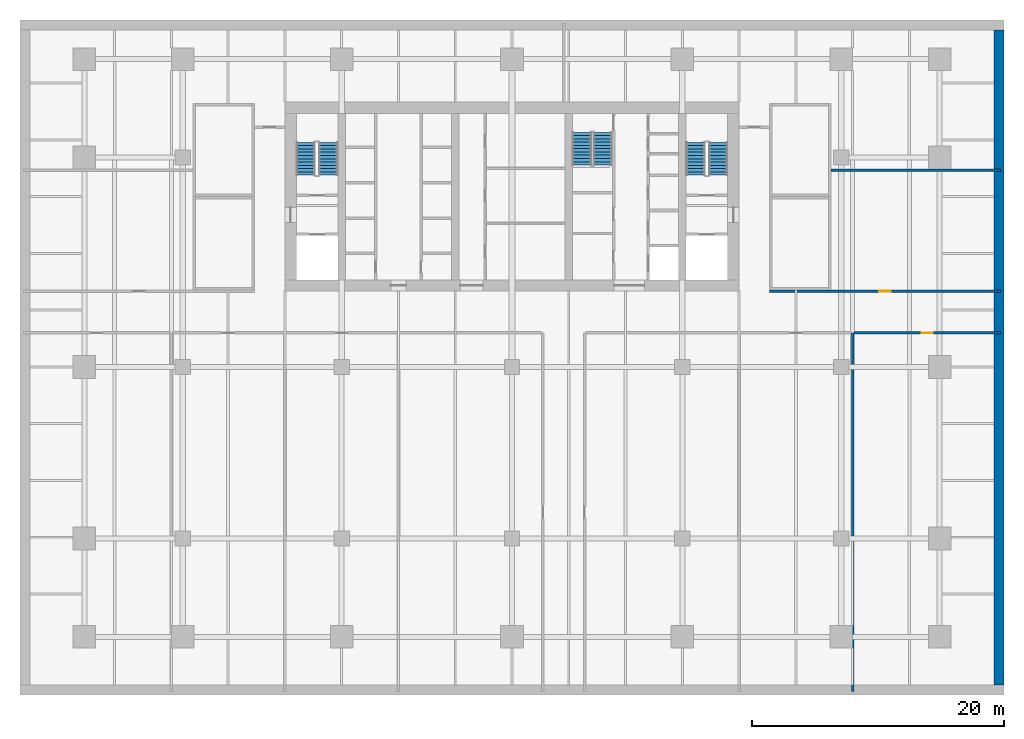
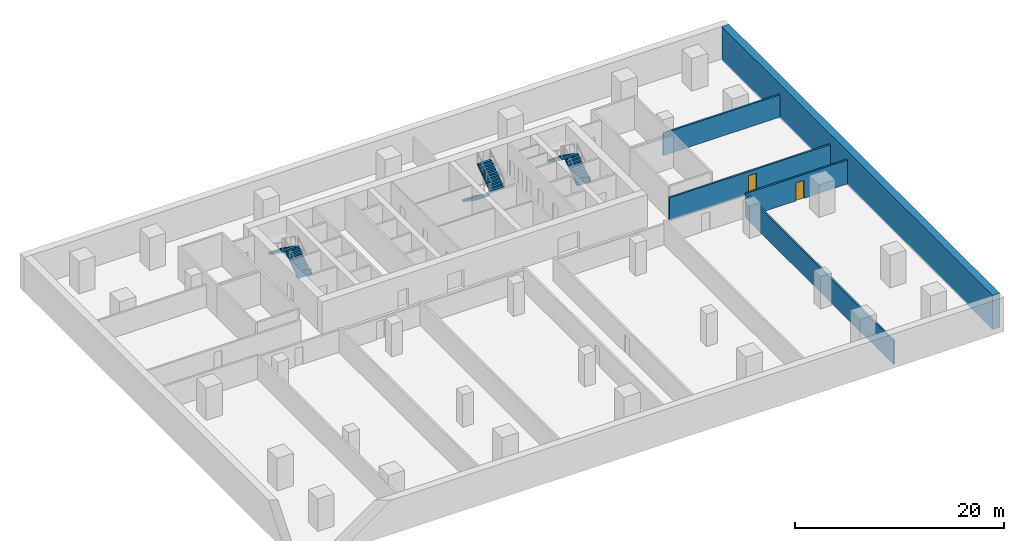
# One storey, part 9 of 10: 6 stair flights, 5 walls, 2 doors, 2 openings, 3 elements without a shape of their own.
"""IFC4 building model written with IfcOpenShell, lengths in metres."""

import ifcopenshell
import ifcopenshell.guid

model = None  # the IFC model being written
_history = None  # IfcOwnerHistory: only IFC2X3 demands one
_inside = {}  # id of a spatial element -> (the spatial element, [elements in it])
_under = {}  # id of a project, library or spatial element -> (it, [spatial elements below it])
_declared = {}  # id of a project -> (the project, [libraries it declares])
_typed = {}  # id of a type object -> (the type object, [elements of that type])
_made_of = {}  # id of a material, layer set ... -> (it, [elements and type objects made of it])


def new_model(schema):
    """Start an empty IFC model of exactly this schema.

    Asked for "IFC4X3", IfcOpenShell would pick the latest addendum, in which some entities
    have other attributes; the version numbers below select the first issue.
    IFC2X3 requires an IfcOwnerHistory on every rooted entity: one is made here for all.
    """
    global model, _history
    if schema == "IFC4X3":
        model = ifcopenshell.file(schema_version=(4, 3, 0, 0))
    else:
        model = ifcopenshell.file(schema=schema)
    _inside.clear()
    _under.clear()
    _declared.clear()
    _typed.clear()
    _made_of.clear()
    _history = None
    if model.schema == "IFC2X3":
        org = make("IfcOrganization", Name="unknown")
        user = make(
            "IfcPersonAndOrganization",
            ThePerson=make("IfcPerson", FamilyName="unknown"),
            TheOrganization=org,
        )
        app = make(
            "IfcApplication",
            ApplicationDeveloper=org,
            Version="unknown",
            ApplicationFullName="unknown",
            ApplicationIdentifier="unknown",
        )
        _history = make(
            "IfcOwnerHistory",
            OwningUser=user,
            OwningApplication=app,
            ChangeAction="ADDED",
            CreationDate=0,
        )
    return model


def make(cls, **values):
    """One entity of the class cls with the attributes given. An attribute that is None is left unset."""
    return model.create_entity(
        cls, **{name: value for name, value in values.items() if value is not None}
    )


def rooted(cls, **values):
    """An entity with a GlobalId (a new one), such as an element, a storey or a relation."""
    return make(cls, GlobalId=ifcopenshell.guid.new(), OwnerHistory=_history, **values)


def si_unit(unit_type, name, prefix=None):
    """IfcSIUnit, for example si_unit("LENGTHUNIT", "METRE", prefix="MILLI")."""
    return make("IfcSIUnit", UnitType=unit_type, Prefix=prefix, Name=name)


def assignment(units):
    """IfcUnitAssignment: the units of a project."""
    return None if units is None else make("IfcUnitAssignment", Units=units)


def point(xyz):
    """IfcCartesianPoint."""
    return None if xyz is None else make("IfcCartesianPoint", Coordinates=xyz)


def direction(xyz):
    """IfcDirection."""
    return None if xyz is None else make("IfcDirection", DirectionRatios=xyz)


def frame(location, z_axis=None, x_axis=None):
    """IfcAxis2Placement3D, a coordinate frame: its origin and axes. An axis left out is left unset."""
    return make(
        "IfcAxis2Placement3D",
        Location=point(location),
        Axis=direction(z_axis),
        RefDirection=direction(x_axis),
    )


def frame_2d(location, x_axis=None):
    """IfcAxis2Placement2D, a coordinate frame in the plane: its origin and x axis."""
    return make(
        "IfcAxis2Placement2D", Location=point(location), RefDirection=direction(x_axis)
    )


def origin():
    """The frame at (0, 0, 0) with its axes left unset."""
    return frame((0.0, 0.0, 0.0))


def place(relative_to, where):
    """IfcLocalPlacement: puts the frame where relative to a parent placement (None: the world)."""
    return make(
        "IfcLocalPlacement", PlacementRelTo=relative_to, RelativePlacement=where
    )


def context(
    kind, dimensions, precision=None, world=None, true_north=None, identifier=None
):
    """IfcGeometricRepresentationContext, for example the 3D "Model" context."""
    return make(
        "IfcGeometricRepresentationContext",
        ContextIdentifier=identifier,
        ContextType=kind,
        CoordinateSpaceDimension=dimensions,
        Precision=precision,
        WorldCoordinateSystem=world,
        TrueNorth=true_north,
    )


def subcontext(parent, identifier, kind, view, scale=None):
    """IfcGeometricRepresentationSubContext, for example "Body" below "Model"."""
    return make(
        "IfcGeometricRepresentationSubContext",
        ContextIdentifier=identifier,
        ContextType=kind,
        ParentContext=parent,
        TargetScale=scale,
        TargetView=view,
    )


def project(units=None, contexts=None):
    """IfcProject with its units and contexts."""
    return rooted(
        "IfcProject",
        Name="project",
        RepresentationContexts=contexts,
        UnitsInContext=assignment(units),
    )


def spatial(cls, under=None, at=None, **own):
    """A site, building, storey or space (cls), placed at a placement, below another one or the project."""
    s = rooted(cls, ObjectPlacement=at, **own)
    if under is not None:
        _under.setdefault(under.id(), (under, []))[1].append(s)
    return s


def polyline(points):
    """IfcPolyline through the points."""
    return make("IfcPolyline", Points=[point(p) for p in points])


def profile(cls, at=None, kind="AREA", **sizes):
    """A parametric profile (cls). Its sizes go by their IFC names, for example OverallWidth=200.0."""
    return make(cls, ProfileType=kind, Position=at, **sizes)


def rectangle(**sizes):
    """IfcRectangleProfileDef."""
    return profile("IfcRectangleProfileDef", **sizes)


def outline(outer, holes=None, kind="AREA"):
    """IfcArbitraryClosedProfileDef: a profile drawn as a closed curve; with holes, ...WithVoids."""
    if holes is None:
        return make("IfcArbitraryClosedProfileDef", ProfileType=kind, OuterCurve=outer)
    return make(
        "IfcArbitraryProfileDefWithVoids",
        ProfileType=kind,
        OuterCurve=outer,
        InnerCurves=holes,
    )


def extrude(swept, where, along, depth):
    """IfcExtrudedAreaSolid: the profile swept, set in the frame where, extruded along a direction by depth."""
    return make(
        "IfcExtrudedAreaSolid",
        SweptArea=swept,
        Position=where,
        ExtrudedDirection=direction(along),
        Depth=depth,
    )


def shape(context_of_items, identifier, shape_type, items):
    """IfcShapeRepresentation: the items that make up one representation, for example the "Body"."""
    return make(
        "IfcShapeRepresentation",
        ContextOfItems=context_of_items,
        RepresentationIdentifier=identifier,
        RepresentationType=shape_type,
        Items=items,
    )


def material(Name=None, Category=None):
    """IfcMaterial."""
    return make("IfcMaterial", Name=Name, Category=Category)


def layer(
    of_material, thickness, ventilated=None, Name=None, Category=None, Priority=None
):
    """IfcMaterialLayer: one layer of a wall or slab, of a material (None: an air gap)."""
    return make(
        "IfcMaterialLayer",
        Material=of_material,
        LayerThickness=thickness,
        IsVentilated=ventilated,
        Name=Name,
        Category=Category,
        Priority=Priority,
    )


def layer_set(layers, Name=None):
    """IfcMaterialLayerSet."""
    return make("IfcMaterialLayerSet", MaterialLayers=layers, LayerSetName=Name)


def made_of(thing, what):
    """Note that an element or type object is made of a material, layer set ...; save() writes the relation."""
    if what is not None:
        _made_of.setdefault(what.id(), (what, []))[1].append(thing)
    return thing


def type_object(cls, material=None, **own):
    """A type object (cls), such as IfcWallType, which elements share."""
    return made_of(rooted(cls, **own), material)


def element(
    cls,
    number,
    at=None,
    inside=None,
    cuts=None,
    type_object=None,
    material=None,
    context=None,
    identifier="Body",
    shape_type=None,
    held_by="IfcProductDefinitionShape",
    body=None,
    shapes=None,
    **own,
):
    """One element of the class cls, such as IfcWall. Its Tag is "e" and its number.

    at: its placement. inside: the storey or other place that contains it. cuts: it is an
    opening in that element (IfcRelVoidsElement). A single representation is given by context,
    identifier, shape_type and body (its items); several are given by shapes. held_by: the class
    of the entity that holds the representations. save() writes the other relations.
    """
    e = rooted(cls, Tag="e%d" % number, ObjectPlacement=at, **own)
    if body is not None:
        shapes = [shape(context, identifier, shape_type, body)]
    if shapes is not None:
        e.Representation = make(held_by, Representations=shapes)
    if inside is not None:
        _inside.setdefault(inside.id(), (inside, []))[1].append(e)
    if cuts is not None:
        rooted(
            "IfcRelVoidsElement", RelatingBuildingElement=cuts, RelatedOpeningElement=e
        )
    if type_object is not None:
        _typed.setdefault(type_object.id(), (type_object, []))[1].append(e)
    return made_of(e, material)


def fill(opening, filler):
    """IfcRelFillsElement: the door or window that sits in an opening."""
    return rooted(
        "IfcRelFillsElement",
        RelatingOpeningElement=opening,
        RelatedBuildingElement=filler,
    )


def aggregate(whole, parts):
    """IfcRelAggregates: a whole, such as a stair, and the parts it consists of."""
    return rooted("IfcRelAggregates", RelatingObject=whole, RelatedObjects=parts)


def save(model, path):
    """Write the relations noted so far, then the file.

    IfcRelAggregates (storeys below a building ...), IfcRelContainedInSpatialStructure (elements
    in a storey), IfcRelDefinesByType, IfcRelAssociatesMaterial and IfcRelDeclares: one each for
    every whole, place, type object, material and project.
    """
    for whole, parts in _under.values():
        aggregate(whole, parts)
    for where, things in _inside.values():
        rooted(
            "IfcRelContainedInSpatialStructure",
            RelatedElements=things,
            RelatingStructure=where,
        )
    for kind, things in _typed.values():
        rooted("IfcRelDefinesByType", RelatedObjects=things, RelatingType=kind)
    for what, things in _made_of.values():
        rooted("IfcRelAssociatesMaterial", RelatedObjects=things, RelatingMaterial=what)
    for by, libraries in _declared.values():
        rooted("IfcRelDeclares", RelatingContext=by, RelatedDefinitions=libraries)
    model.write(path)


model = new_model("IFC4")

# Units and contexts
model_context = context("Model", 3, precision=1e-05, world=origin(), true_north=direction((0.0, 1.0)))
body_context = subcontext(model_context, "Body", "Model", "MODEL_VIEW")
ifc_project = project(units=[si_unit("LENGTHUNIT", "METRE"), si_unit("AREAUNIT", "SQUARE_METRE"), si_unit("VOLUMEUNIT", "CUBIC_METRE"), si_unit("PLANEANGLEUNIT", "RADIAN"), si_unit("MASSUNIT", "GRAM", prefix="KILO")], contexts=[model_context])

# Site, building, storey
site_placement = place(None, origin())
site = spatial("IfcSite", under=ifc_project, at=site_placement, CompositionType="ELEMENT")
building_placement = place(site_placement, origin())
building = spatial("IfcBuilding", under=site, at=building_placement, Name="Rattan Terrace Tower", CompositionType="ELEMENT")
storey_placement = place(building_placement, frame((0.0, 0.0, -9.5)))
storey = spatial("IfcBuildingStorey", under=building, at=storey_placement, Name="B2", CompositionType="ELEMENT", Elevation=-9.5)

# Wall, opening, door
ifc_material_1 = material(Name="Concrete block wall, plastered", Category="concrete")
ifc_layer_1 = layer(ifc_material_1, 0.199951171875)
ifc_layer_set_1 = layer_set([ifc_layer_1], Name="Floors Plant Wall 200")
wall_type_1 = type_object("IfcWallType", Name="Floors Plant Wall 200", PredefinedType="PARTITIONING", material=ifc_layer_set_1)
wall_1_placement = place(storey_placement, frame((38.739990234375, -10.800048828125, 0.0), z_axis=(0.0, 0.0, 1.0), x_axis=(-1.0, 0.0, 0.0)))
wall_1 = element("IfcWall", 1, at=wall_1_placement, inside=storey, type_object=wall_type_1, Name="pt-B2-009", PredefinedType="PARTITIONING", context=body_context, shape_type="SweptSolid", body=[
    extrude(rectangle(XDim=11.637939453125, YDim=0.199951171875, at=frame_2d((5.81884765625, 0.0))), origin(), (0.0, 0.0, 1.0), 2.800048828125),
])
opening_1_placement = place(wall_1_placement, frame((5.368896484375, 0.0, 0.0)))
opening_1 = element("IfcOpeningElement", 2, at=opening_1_placement, cuts=wall_1, Name="Opening B2-D106", PredefinedType="OPENING", context=body_context, shape_type="SweptSolid", body=[
    extrude(rectangle(XDim=0.89990234375, YDim=2.10009765625, at=frame_2d((0.449951171875, 1.050048828125))), frame((0.0, 0.110595703125, 0.0), z_axis=(0.0, -1.0, 0.0), x_axis=(1.0, 0.0, 0.0)), (0.0, 0.0, 1.0), 0.220947265625),
])
ifc_material_2 = material(Name="Steel fire door set", Category="steel")
door_type = type_object("IfcDoorType", Name="Floors Fire Door FD60 900x2100", OperationType="NOTDEFINED", PredefinedType="DOOR", material=ifc_material_2)
door_1_placement = place(opening_1_placement, origin())
door_1 = element("IfcDoor", 3, at=door_1_placement, inside=storey, type_object=door_type, Name="d-B2-106", OperationType="SINGLE_SWING_LEFT", OverallHeight=2.10009765625, OverallWidth=0.89990234375, PredefinedType="DOOR", context=body_context, shape_type="SweptSolid", body=[
    extrude(rectangle(XDim=0.89990234375, YDim=2.10009765625, at=frame_2d((0.449951171875, 1.050048828125))), frame((0.0, 0.02490234375, 0.0), z_axis=(0.0, -1.0, 0.0), x_axis=(1.0, 0.0, 0.0)), (0.0, 0.0, 1.0), 0.050048828125),
])
fill(opening_1, door_1)

wall_2_placement = place(storey_placement, frame((20.39990234375, -7.5, 0.0), z_axis=(0.0, 0.0, 1.0), x_axis=(1.0, 0.0, 0.0)))
wall_2 = element("IfcWall", 4, at=wall_2_placement, inside=storey, type_object=wall_type_1, Name="pt-B2-012", PredefinedType="PARTITIONING", context=body_context, shape_type="SweptSolid", body=[
    extrude(rectangle(XDim=18.340087890625, YDim=0.199951171875, at=frame_2d((9.169921875, 0.0))), origin(), (0.0, 0.0, 1.0), 2.60009765625),
])
opening_2_placement = place(wall_2_placement, frame((8.719970703125, 0.0, 0.0)))
opening_2 = element("IfcOpeningElement", 5, at=opening_2_placement, cuts=wall_2, Name="Opening B2-D109", PredefinedType="OPENING", context=body_context, shape_type="SweptSolid", body=[
    extrude(rectangle(XDim=0.89990234375, YDim=2.10009765625, at=frame_2d((0.449951171875, 1.050048828125))), frame((0.0, 0.110595703125, 0.0), z_axis=(0.0, -1.0, 0.0), x_axis=(1.0, 0.0, 0.0)), (0.0, 0.0, 1.0), 0.220947265625),
])
door_2_placement = place(opening_2_placement, origin())
door_2 = element("IfcDoor", 6, at=door_2_placement, inside=storey, type_object=door_type, Name="d-B2-109", OperationType="SINGLE_SWING_RIGHT", OverallHeight=2.10009765625, OverallWidth=0.89990234375, PredefinedType="DOOR", context=body_context, shape_type="SweptSolid", body=[
    extrude(rectangle(XDim=0.89990234375, YDim=2.10009765625, at=frame_2d((0.449951171875, 1.050048828125))), frame((0.0, 0.02490234375, 0.0), z_axis=(0.0, -1.0, 0.0), x_axis=(1.0, 0.0, 0.0)), (0.0, 0.0, 1.0), 0.050048828125),
])
fill(opening_2, door_2)

# Walls
wall_3_placement = place(storey_placement, frame((27.001953125, -10.800048828125, 0.0), z_axis=(0.0, 0.0, 1.0), x_axis=(0.0, -1.0, 0.0)))
element("IfcWall", 7, at=wall_3_placement, inside=storey, type_object=wall_type_1, Name="pt-B2-018", PredefinedType="PARTITIONING", context=body_context, shape_type="SweptSolid", body=[
    extrude(rectangle(XDim=28.43994140625, YDim=0.199951171875, at=frame_2d((14.219970703125, 0.0))), origin(), (0.0, 0.0, 1.0), 2.800048828125),
])
wall_4_placement = place(storey_placement, frame((25.300048828125, 2.10888671875, 0.0), z_axis=(0.0, 0.0, 1.0), x_axis=(1.0, 0.0, 0.0)))
element("IfcWall", 8, at=wall_4_placement, inside=storey, type_object=wall_type_1, Name="pt-B2-021", PredefinedType="PARTITIONING", context=body_context, shape_type="SweptSolid", body=[
    extrude(rectangle(XDim=13.43994140625, YDim=0.199951171875, at=frame_2d((6.719970703125, 0.0))), origin(), (0.0, 0.0, 1.0), 2.60009765625),
])
ifc_material_3 = material(Name="Concrete C40/50", Category="concrete")
ifc_layer_2 = layer(ifc_material_3, 0.800048828125)
ifc_layer_set_2 = layer_set([ifc_layer_2], Name="Frame basement wall 800")
wall_type_2 = type_object("IfcWallType", Name="Frame basement wall 800", PredefinedType="SOLIDWALL", material=ifc_layer_set_2)
wall_5_placement = place(storey_placement, frame((38.60009765625, -38.699951171875, -0.199951171875), z_axis=(0.0, 0.0, 1.0), x_axis=(0.0, 1.0, 0.0)))
element("IfcWall", 9, at=wall_5_placement, inside=storey, type_object=wall_type_2, Name="Basement wall", PredefinedType="SOLIDWALL", context=body_context, shape_type="SweptSolid", body=[
    extrude(rectangle(XDim=51.89990234375, YDim=0.800048828125, at=frame_2d((25.949951171875, 0.0))), origin(), (0.0, 0.0, 1.0), 4.0),
])

# Stair, stair flights
ifc_material_4 = material(Name="Concrete C40/50", Category="concrete")
stair_type = type_object("IfcStairType", Name="Core exit stair 1500", PredefinedType="HALF_TURN_STAIR", material=ifc_material_4)
stair_1_placement = place(storey_placement, origin())
stair_1 = element("IfcStair", 10, at=stair_1_placement, inside=storey, type_object=stair_type, Name="B2 exit stair 1", PredefinedType="HALF_TURN_STAIR")
ifc_material_5 = material(Name="Concrete C40/50", Category="concrete")
stair_flight_type = type_object("IfcStairFlightType", Name="Core exit stair flight 1500", PredefinedType="STRAIGHT", material=ifc_material_5)
stair_flight_1_placement = place(storey_placement, frame((-14.550048828125, 1.699951171875, 0.0), z_axis=(0.0, 0.0, 1.0), x_axis=(0.0, 1.0, 0.0)))
stair_flight_1 = element("IfcStairFlight", 11, at=stair_flight_1_placement, type_object=stair_flight_type, Name="S1 flight 1", NumberOfRisers=11, NumberOfTreads=10, PredefinedType="STRAIGHT", RiserHeight=0.181818182, TreadLength=0.26, context=body_context, shape_type="SweptSolid", body=[
    extrude(outline(polyline([(0.0, 0.0), (0.0, 0.181884765625), (0.260009765625, 0.181884765625), (0.260009765625, 0.363525390625), (0.52001953125, 0.363525390625), (0.52001953125, 0.54541015625), (0.780029296875, 0.54541015625), (0.780029296875, 0.727294921875), (1.0400390625, 0.727294921875), (1.0400390625, 0.9091796875), (1.300048828125, 0.9091796875), (1.300048828125, 1.0908203125), (1.56005859375, 1.0908203125), (1.56005859375, 1.272705078125), (1.820068359375, 1.272705078125), (1.820068359375, 1.45458984375), (2.080078125, 1.45458984375), (2.080078125, 1.636474609375), (2.340087890625, 1.636474609375), (2.340087890625, 1.818115234375), (2.60009765625, 1.818115234375), (2.60009765625, 2.0), (2.60009765625, 1.63525390625), (0.261474609375, 0.0), (0.0, 0.0)])), frame((0.0, 0.75, 0.0), z_axis=(0.0, -1.0, 0.0), x_axis=(1.0, 0.0, 0.0)), (0.0, 0.0, 1.0), 1.5),
])
stair_flight_2_placement = place(storey_placement, frame((-16.35009765625, 4.300048828125, 2.0), z_axis=(0.0, 0.0, 1.0), x_axis=(0.0, -1.0, 0.0)))
stair_flight_2 = element("IfcStairFlight", 12, at=stair_flight_2_placement, type_object=stair_flight_type, Name="S1 flight 2", NumberOfRisers=11, NumberOfTreads=10, PredefinedType="STRAIGHT", RiserHeight=0.181818182, TreadLength=0.26, context=body_context, shape_type="SweptSolid", body=[
    extrude(outline(polyline([(0.0, 0.0), (0.0, 0.181884765625), (0.260009765625, 0.181884765625), (0.260009765625, 0.363525390625), (0.52001953125, 0.363525390625), (0.52001953125, 0.54541015625), (0.780029296875, 0.54541015625), (0.780029296875, 0.727294921875), (1.0400390625, 0.727294921875), (1.0400390625, 0.9091796875), (1.300048828125, 0.9091796875), (1.300048828125, 1.0908203125), (1.56005859375, 1.0908203125), (1.56005859375, 1.272705078125), (1.820068359375, 1.272705078125), (1.820068359375, 1.45458984375), (2.080078125, 1.45458984375), (2.080078125, 1.636474609375), (2.340087890625, 1.636474609375), (2.340087890625, 1.818115234375), (2.60009765625, 1.818115234375), (2.60009765625, 2.0), (2.60009765625, 1.63525390625), (0.261474609375, 0.0), (0.0, 0.0)])), frame((0.0, 0.75, 0.0), z_axis=(0.0, -1.0, 0.0), x_axis=(1.0, 0.0, 0.0)), (0.0, 0.0, 1.0), 1.5),
])
aggregate(stair_1, [stair_flight_1, stair_flight_2])

stair_2_placement = place(storey_placement, origin())
stair_2 = element("IfcStair", 13, at=stair_2_placement, inside=storey, type_object=stair_type, Name="B2 exit stair 2", PredefinedType="HALF_TURN_STAIR")
stair_flight_3_placement = place(storey_placement, frame((16.35009765625, 1.699951171875, 0.0), z_axis=(0.0, 0.0, 1.0), x_axis=(0.0, 1.0, 0.0)))
stair_flight_3 = element("IfcStairFlight", 14, at=stair_flight_3_placement, type_object=stair_flight_type, Name="S2 flight 1", NumberOfRisers=11, NumberOfTreads=10, PredefinedType="STRAIGHT", RiserHeight=0.181818182, TreadLength=0.26, context=body_context, shape_type="SweptSolid", body=[
    extrude(outline(polyline([(0.0, 0.0), (0.0, 0.181884765625), (0.260009765625, 0.181884765625), (0.260009765625, 0.363525390625), (0.52001953125, 0.363525390625), (0.52001953125, 0.54541015625), (0.780029296875, 0.54541015625), (0.780029296875, 0.727294921875), (1.0400390625, 0.727294921875), (1.0400390625, 0.9091796875), (1.300048828125, 0.9091796875), (1.300048828125, 1.0908203125), (1.56005859375, 1.0908203125), (1.56005859375, 1.272705078125), (1.820068359375, 1.272705078125), (1.820068359375, 1.45458984375), (2.080078125, 1.45458984375), (2.080078125, 1.636474609375), (2.340087890625, 1.636474609375), (2.340087890625, 1.818115234375), (2.60009765625, 1.818115234375), (2.60009765625, 2.0), (2.60009765625, 1.63525390625), (0.261474609375, 0.0), (0.0, 0.0)])), frame((0.0, 0.75, 0.0), z_axis=(0.0, -1.0, 0.0), x_axis=(1.0, 0.0, 0.0)), (0.0, 0.0, 1.0), 1.5),
])
stair_flight_4_placement = place(storey_placement, frame((14.550048828125, 4.300048828125, 2.0), z_axis=(0.0, 0.0, 1.0), x_axis=(0.0, -1.0, 0.0)))
stair_flight_4 = element("IfcStairFlight", 15, at=stair_flight_4_placement, type_object=stair_flight_type, Name="S2 flight 2", NumberOfRisers=11, NumberOfTreads=10, PredefinedType="STRAIGHT", RiserHeight=0.181818182, TreadLength=0.26, context=body_context, shape_type="SweptSolid", body=[
    extrude(outline(polyline([(0.0, 0.0), (0.0, 0.181884765625), (0.260009765625, 0.181884765625), (0.260009765625, 0.363525390625), (0.52001953125, 0.363525390625), (0.52001953125, 0.54541015625), (0.780029296875, 0.54541015625), (0.780029296875, 0.727294921875), (1.0400390625, 0.727294921875), (1.0400390625, 0.9091796875), (1.300048828125, 0.9091796875), (1.300048828125, 1.0908203125), (1.56005859375, 1.0908203125), (1.56005859375, 1.272705078125), (1.820068359375, 1.272705078125), (1.820068359375, 1.45458984375), (2.080078125, 1.45458984375), (2.080078125, 1.636474609375), (2.340087890625, 1.636474609375), (2.340087890625, 1.818115234375), (2.60009765625, 1.818115234375), (2.60009765625, 2.0), (2.60009765625, 1.63525390625), (0.261474609375, 0.0), (0.0, 0.0)])), frame((0.0, 0.75, 0.0), z_axis=(0.0, -1.0, 0.0), x_axis=(1.0, 0.0, 0.0)), (0.0, 0.0, 1.0), 1.5),
])
aggregate(stair_2, [stair_flight_3, stair_flight_4])

stair_3_placement = place(storey_placement, origin())
stair_3 = element("IfcStair", 16, at=stair_3_placement, inside=storey, type_object=stair_type, Name="B2 exit stair 3", PredefinedType="HALF_TURN_STAIR")
stair_flight_5_placement = place(storey_placement, frame((5.550048828125, 5.10009765625, 0.0), z_axis=(0.0, 0.0, 1.0), x_axis=(0.0, -1.0, 0.0)))
stair_flight_5 = element("IfcStairFlight", 17, at=stair_flight_5_placement, type_object=stair_flight_type, Name="S3 flight 1", NumberOfRisers=11, NumberOfTreads=10, PredefinedType="STRAIGHT", RiserHeight=0.181818182, TreadLength=0.26, context=body_context, shape_type="SweptSolid", body=[
    extrude(outline(polyline([(0.0, 0.0), (0.0, 0.181884765625), (0.260009765625, 0.181884765625), (0.260009765625, 0.363525390625), (0.52001953125, 0.363525390625), (0.52001953125, 0.54541015625), (0.780029296875, 0.54541015625), (0.780029296875, 0.727294921875), (1.0400390625, 0.727294921875), (1.0400390625, 0.9091796875), (1.300048828125, 0.9091796875), (1.300048828125, 1.0908203125), (1.56005859375, 1.0908203125), (1.56005859375, 1.272705078125), (1.820068359375, 1.272705078125), (1.820068359375, 1.45458984375), (2.080078125, 1.45458984375), (2.080078125, 1.636474609375), (2.340087890625, 1.636474609375), (2.340087890625, 1.818115234375), (2.60009765625, 1.818115234375), (2.60009765625, 2.0), (2.60009765625, 1.63525390625), (0.261474609375, 0.0), (0.0, 0.0)])), frame((0.0, 0.75, 0.0), z_axis=(0.0, -1.0, 0.0), x_axis=(1.0, 0.0, 0.0)), (0.0, 0.0, 1.0), 1.5),
])
stair_flight_6_placement = place(storey_placement, frame((7.199951171875, 2.5, 2.0), z_axis=(0.0, 0.0, 1.0), x_axis=(0.0, 1.0, 0.0)))
stair_flight_6 = element("IfcStairFlight", 18, at=stair_flight_6_placement, type_object=stair_flight_type, Name="S3 flight 2", NumberOfRisers=11, NumberOfTreads=10, PredefinedType="STRAIGHT", RiserHeight=0.181818182, TreadLength=0.26, context=body_context, shape_type="SweptSolid", body=[
    extrude(outline(polyline([(0.0, 0.0), (0.0, 0.181884765625), (0.260009765625, 0.181884765625), (0.260009765625, 0.363525390625), (0.52001953125, 0.363525390625), (0.52001953125, 0.54541015625), (0.780029296875, 0.54541015625), (0.780029296875, 0.727294921875), (1.0400390625, 0.727294921875), (1.0400390625, 0.9091796875), (1.300048828125, 0.9091796875), (1.300048828125, 1.0908203125), (1.56005859375, 1.0908203125), (1.56005859375, 1.272705078125), (1.820068359375, 1.272705078125), (1.820068359375, 1.45458984375), (2.080078125, 1.45458984375), (2.080078125, 1.636474609375), (2.340087890625, 1.636474609375), (2.340087890625, 1.818115234375), (2.60009765625, 1.818115234375), (2.60009765625, 2.0), (2.60009765625, 1.63525390625), (0.261474609375, 0.0), (0.0, 0.0)])), frame((0.0, 0.75, 0.0), z_axis=(0.0, -1.0, 0.0), x_axis=(1.0, 0.0, 0.0)), (0.0, 0.0, 1.0), 1.5),
])
aggregate(stair_3, [stair_flight_5, stair_flight_6])

save(model, "model.ifc")
